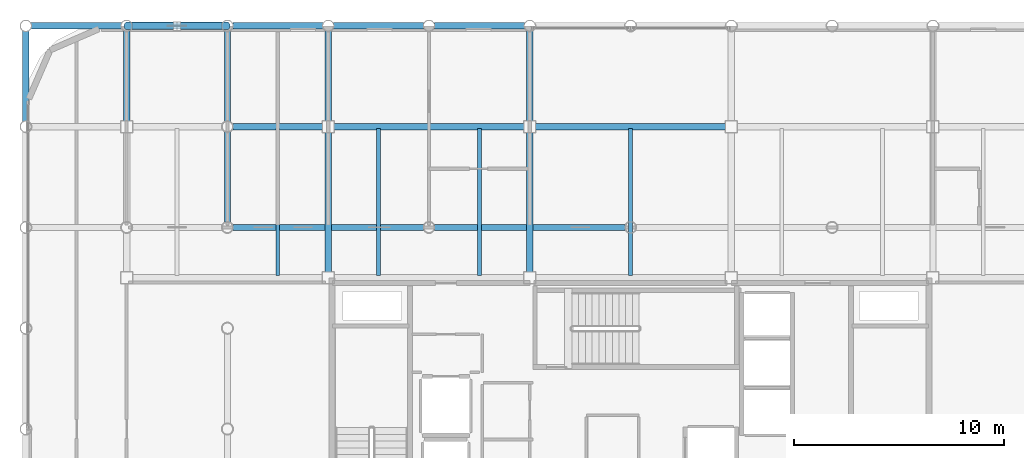
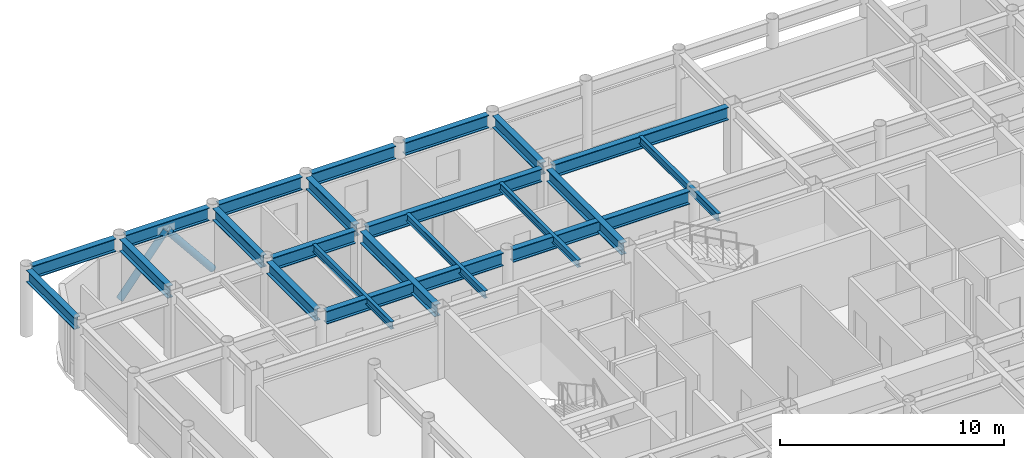
# One storey, part 12 of 21: 22 beams, 2 members.
"""IFC4 building model written with IfcOpenShell, lengths in metres."""

from ifc_helpers import new_model, si_unit, direction, frame, origin, origin_2d, place, context, subcontext, project, spatial, hollow_circle, i_section, extrude, material, material_profile, profile_set, type_object, element, save


model = new_model("IFC4")

# Units and contexts
model_context = context("Model", 3, precision=1e-05, world=origin(), true_north=direction((0.0, 1.0)))
body_context = subcontext(model_context, "Body", "Model", "MODEL_VIEW")
ifc_project = project(units=[si_unit("LENGTHUNIT", "METRE"), si_unit("AREAUNIT", "SQUARE_METRE"), si_unit("VOLUMEUNIT", "CUBIC_METRE"), si_unit("PLANEANGLEUNIT", "RADIAN"), si_unit("MASSUNIT", "GRAM", prefix="KILO")], contexts=[model_context])

# Site, building, storey
site_placement = place(None, origin())
site = spatial("IfcSite", under=ifc_project, at=site_placement, CompositionType="ELEMENT")
building_placement = place(site_placement, origin())
building = spatial("IfcBuilding", under=site, at=building_placement, Name="Kallvorn Hotel Tower", CompositionType="ELEMENT")
storey_placement = place(building_placement, frame((0.0, 0.0, 214.60009765625)))
storey = spatial("IfcBuildingStorey", under=building, at=storey_placement, Name="L53", CompositionType="ELEMENT", Elevation=214.60009765625)

# Beams
ifc_material_1 = material(Name="Structural steel S355JR", Category="steel")
ifc_material_profile_1 = material_profile(ifc_material_1, i_section(OverallWidth=0.300048828125, OverallDepth=0.64990234375, WebThickness=0.01611328125, FlangeThickness=0.031005859375, at=origin_2d()), Name="HE 650 B")
ifc_profile_set_1 = profile_set([ifc_material_profile_1], Name="Structural steel S355JR")
beam_type_1 = type_object("IfcBeamType", Name="BM_HE650B", PredefinedType="BEAM", material=ifc_profile_set_1)
beam_1_placement = place(storey_placement, frame((-28.800048828125, 14.654541015625, 3.344970703125), z_axis=(0.0, 1.0, 0.0), x_axis=(-1.0, 0.0, 0.0)))
element("IfcBeam", 1, at=beam_1_placement, inside=storey, type_object=beam_type_1, Name="L54 Primary Y-Girder 80", PredefinedType="BEAM", context=body_context, shape_type="SweptSolid", body=[
    extrude(i_section(OverallWidth=0.300048828125, OverallDepth=0.64990234375, WebThickness=0.01611328125, FlangeThickness=0.031005859375, at=origin_2d()), origin(), (0.0, 0.0, 1.0), 4.291015625),
])
beam_2_placement = place(storey_placement, frame((-24.0, 14.675048828125, 3.344970703125), z_axis=(0.0, 1.0, 0.0), x_axis=(-1.0, 0.0, 0.0)))
element("IfcBeam", 2, at=beam_2_placement, inside=storey, type_object=beam_type_1, Name="L54 Primary Y-Girder 87", PredefinedType="BEAM", context=body_context, shape_type="SweptSolid", body=[
    extrude(i_section(OverallWidth=0.300048828125, OverallDepth=0.64990234375, WebThickness=0.01611328125, FlangeThickness=0.031005859375, at=origin_2d()), origin(), (0.0, 0.0, 1.0), 4.2705078125),
])
for number, where, z_axis, x_axis, name in (
    (3, (-19.199951171875, 9.8544921875, 3.344970703125), (0.0, 1.0, 0.0), (-1.0, 0.0, 0.0), "L54 Primary Y-Girder 95"),
    (4, (-19.199951171875, 14.654541015625, 3.344970703125), (0.0, 1.0, 0.0), (-1.0, 0.0, 0.0), "L54 Primary Y-Girder 96"),
):
    element("IfcBeam", number, at=place(storey_placement, frame(where, z_axis=z_axis, x_axis=x_axis)), inside=storey, type_object=beam_type_1, Name=name, PredefinedType="BEAM", context=body_context, shape_type="SweptSolid", body=[
        extrude(i_section(OverallWidth=0.300048828125, OverallDepth=0.64990234375, WebThickness=0.01611328125, FlangeThickness=0.031005859375, at=origin_2d()), origin(), (0.0, 0.0, 1.0), 4.291015625),
    ])
beam_3_placement = place(storey_placement, frame((-14.39990234375, 7.47509765625, 3.344970703125), z_axis=(0.0, 1.0, 0.0), x_axis=(-1.0, 0.0, 0.0)))
element("IfcBeam", 5, at=beam_3_placement, inside=storey, type_object=beam_type_1, Name="L54 Primary Y-Girder 100", PredefinedType="BEAM", context=body_context, shape_type="SweptSolid", body=[
    extrude(i_section(OverallWidth=0.300048828125, OverallDepth=0.64990234375, WebThickness=0.01611328125, FlangeThickness=0.031005859375, at=origin_2d()), origin(), (0.0, 0.0, 1.0), 6.64990234375),
])
beam_4_placement = place(storey_placement, frame((-14.39990234375, 14.675048828125, 3.344970703125), z_axis=(0.0, 1.0, 0.0), x_axis=(-1.0, 0.0, 0.0)))
element("IfcBeam", 6, at=beam_4_placement, inside=storey, type_object=beam_type_1, Name="L54 Primary Y-Girder 101", PredefinedType="BEAM", context=body_context, shape_type="SweptSolid", body=[
    extrude(i_section(OverallWidth=0.300048828125, OverallDepth=0.64990234375, WebThickness=0.01611328125, FlangeThickness=0.031005859375, at=origin_2d()), origin(), (0.0, 0.0, 1.0), 4.2705078125),
])
beam_5_placement = place(storey_placement, frame((-4.800048828125, 7.47509765625, 3.344970703125), z_axis=(0.0, 1.0, 0.0), x_axis=(-1.0, 0.0, 0.0)))
element("IfcBeam", 7, at=beam_5_placement, inside=storey, type_object=beam_type_1, Name="L54 Primary Y-Girder 108", PredefinedType="BEAM", context=body_context, shape_type="SweptSolid", body=[
    extrude(i_section(OverallWidth=0.300048828125, OverallDepth=0.64990234375, WebThickness=0.01611328125, FlangeThickness=0.031005859375, at=origin_2d()), origin(), (0.0, 0.0, 1.0), 6.64990234375),
])
beam_6_placement = place(storey_placement, frame((-4.800048828125, 14.675048828125, 3.344970703125), z_axis=(0.0, 1.0, 0.0), x_axis=(-1.0, 0.0, 0.0)))
element("IfcBeam", 8, at=beam_6_placement, inside=storey, type_object=beam_type_1, Name="L54 Primary Y-Girder 109", PredefinedType="BEAM", context=body_context, shape_type="SweptSolid", body=[
    extrude(i_section(OverallWidth=0.300048828125, OverallDepth=0.64990234375, WebThickness=0.01611328125, FlangeThickness=0.031005859375, at=origin_2d()), origin(), (0.0, 0.0, 1.0), 4.2705078125),
])
ifc_material_2 = material(Name="Structural steel S355JR", Category="steel")
ifc_material_profile_2 = material_profile(ifc_material_2, i_section(OverallWidth=0.300048828125, OverallDepth=0.699951171875, WebThickness=0.01708984375, FlangeThickness=0.031982421875, at=origin_2d()), Name="HE 700 B")
ifc_profile_set_2 = profile_set([ifc_material_profile_2], Name="Structural steel S355JR")
beam_type_2 = type_object("IfcBeamType", Name="BM_HE700B", PredefinedType="BEAM", material=ifc_profile_set_2)
for number, where, z_axis, x_axis, name in (
    (9, (-18.945556640625, 9.60009765625, 3.31982421875), (1.0, 0.0, 0.0), (0.0, 1.0, 0.0), "L54 Primary X-Girder 44"),
    (10, (-9.345458984375, 9.60009765625, 3.31982421875), (1.0, 0.0, 0.0), (0.0, 1.0, 0.0), "L54 Primary X-Girder 45"),
):
    element("IfcBeam", number, at=place(storey_placement, frame(where, z_axis=z_axis, x_axis=x_axis)), inside=storey, type_object=beam_type_2, Name=name, PredefinedType="BEAM", context=body_context, shape_type="SweptSolid", body=[
        extrude(i_section(OverallWidth=0.300048828125, OverallDepth=0.699951171875, WebThickness=0.01708984375, FlangeThickness=0.031982421875, at=origin_2d()), origin(), (0.0, 0.0, 1.0), 9.091064453125),
    ])
beam_7_placement = place(storey_placement, frame((-18.945556640625, 14.39990234375, 3.31982421875), z_axis=(1.0, 0.0, 0.0), x_axis=(0.0, 1.0, 0.0)))
element("IfcBeam", 11, at=beam_7_placement, inside=storey, type_object=beam_type_2, Name="L54 Primary X-Girder 53", PredefinedType="BEAM", context=body_context, shape_type="SweptSolid", body=[
    extrude(i_section(OverallWidth=0.300048828125, OverallDepth=0.699951171875, WebThickness=0.01708984375, FlangeThickness=0.031982421875, at=origin_2d()), origin(), (0.0, 0.0, 1.0), 4.2705078125),
])
beam_8_placement = place(storey_placement, frame((-14.125, 14.39990234375, 3.31982421875), z_axis=(1.0, 0.0, 0.0), x_axis=(0.0, 1.0, 0.0)))
element("IfcBeam", 12, at=beam_8_placement, inside=storey, type_object=beam_type_2, Name="L54 Primary X-Girder 54", PredefinedType="BEAM", context=body_context, shape_type="SweptSolid", body=[
    extrude(i_section(OverallWidth=0.300048828125, OverallDepth=0.699951171875, WebThickness=0.01708984375, FlangeThickness=0.031982421875, at=origin_2d()), origin(), (0.0, 0.0, 1.0), 9.050048828125),
])
beam_9_placement = place(storey_placement, frame((-4.52490234375, 14.39990234375, 3.31982421875), z_axis=(1.0, 0.0, 0.0), x_axis=(0.0, 1.0, 0.0)))
element("IfcBeam", 13, at=beam_9_placement, inside=storey, type_object=beam_type_2, Name="L54 Primary X-Girder 55", PredefinedType="BEAM", context=body_context, shape_type="SweptSolid", body=[
    extrude(i_section(OverallWidth=0.300048828125, OverallDepth=0.699951171875, WebThickness=0.01708984375, FlangeThickness=0.031982421875, at=origin_2d()), origin(), (0.0, 0.0, 1.0), 9.0498046875),
])
for number, where, z_axis, x_axis, name in (
    (14, (-28.54541015625, 19.199951171875, 3.31982421875), (1.0, 0.0, 0.0), (0.0, 1.0, 0.0), "L54 Primary X-Girder 61"),
    (15, (-23.74560546875, 19.199951171875, 3.31982421875), (1.0, 0.0, 0.0), (0.0, 1.0, 0.0), "L54 Primary X-Girder 62"),
    (16, (-18.945556640625, 19.199951171875, 3.31982421875), (1.0, 0.0, 0.0), (0.0, 1.0, 0.0), "L54 Primary X-Girder 63"),
    (17, (-14.1455078125, 19.199951171875, 3.31982421875), (1.0, 0.0, 0.0), (0.0, 1.0, 0.0), "L54 Primary X-Girder 64"),
    (18, (-9.345458984375, 19.199951171875, 3.31982421875), (1.0, 0.0, 0.0), (0.0, 1.0, 0.0), "L54 Primary X-Girder 65"),
):
    element("IfcBeam", number, at=place(storey_placement, frame(where, z_axis=z_axis, x_axis=x_axis)), inside=storey, type_object=beam_type_2, Name=name, PredefinedType="BEAM", context=body_context, shape_type="SweptSolid", body=[
        extrude(i_section(OverallWidth=0.300048828125, OverallDepth=0.699951171875, WebThickness=0.01708984375, FlangeThickness=0.031982421875, at=origin_2d()), origin(), (0.0, 0.0, 1.0), 4.291015625),
    ])
ifc_material_3 = material(Name="Structural steel S355JR", Category="steel")
ifc_material_profile_3 = material_profile(ifc_material_3, i_section(OverallWidth=0.179931640625, OverallDepth=0.39990234375, WebThickness=0.008544921875, FlangeThickness=0.013427734375, at=origin_2d()), Name="IPE 400")
ifc_profile_set_3 = profile_set([ifc_material_profile_3], Name="Structural steel S355JR")
beam_type_3 = type_object("IfcBeamType", Name="BM_IPE400", PredefinedType="JOIST", material=ifc_profile_set_3)
for number, where, z_axis, x_axis, name in (
    (19, (-16.800048828125, 7.300048828125, 3.469970703125), (0.0, 1.0, 0.0), (-1.0, 0.0, 0.0), "L54 Secondary Composite Joist 195"),
    (20, (-12.0, 7.300048828125, 3.469970703125), (0.0, 1.0, 0.0), (-1.0, 0.0, 0.0), "L54 Secondary Composite Joist 197"),
    (21, (-7.199951171875, 7.300048828125, 3.469970703125), (0.0, 1.0, 0.0), (-1.0, 0.0, 0.0), "L54 Secondary Composite Joist 199"),
    (22, (0.0, 7.300048828125, 3.469970703125), (0.0, 1.0, 0.0), (-1.0, 0.0, 0.0), "L54 Secondary Composite Joist 201"),
):
    element("IfcBeam", number, at=place(storey_placement, frame(where, z_axis=z_axis, x_axis=x_axis)), inside=storey, type_object=beam_type_3, Name=name, PredefinedType="JOIST", context=body_context, shape_type="SweptSolid", body=[
        extrude(i_section(OverallWidth=0.179931640625, OverallDepth=0.39990234375, WebThickness=0.008544921875, FlangeThickness=0.013427734375, at=origin_2d()), origin(), (0.0, 0.0, 1.0), 7.0),
    ])

# Members
ifc_material_4 = material(Name="Structural steel S355J2H", Category="steel")
ifc_material_profile_4 = material_profile(ifc_material_4, hollow_circle(Radius=0.177734375, WallThickness=0.01416015625, at=origin_2d()), Name="CHS 355.6x14.2")
ifc_profile_set_4 = profile_set([ifc_material_profile_4], Name="Structural steel S355J2H")
member_type = type_object("IfcMemberType", Name="MBR_EXO_CHS355", PredefinedType="BRACE", material=ifc_profile_set_4)
for number, where, z_axis, x_axis, name in (
    (23, (-23.987548828125, 19.199951171875, 0.195556640625), (0.627270878626, 0.0, 0.778801158722), (0.0, 1.0, 0.0), "L53 Exoskeleton K-Brace N1A"),
    (24, (-19.21240234375, 19.199951171875, 0.195556640625), (-0.627270878626, 0.0, 0.778801158722), (0.0, -1.0, 0.0), "L53 Exoskeleton K-Brace N1B"),
):
    element("IfcMember", number, at=place(storey_placement, frame(where, z_axis=z_axis, x_axis=x_axis)), inside=storey, type_object=member_type, Name=name, PredefinedType="BRACE", context=body_context, shape_type="SweptSolid", body=[
        extrude(hollow_circle(Radius=0.177734375, WallThickness=0.01416015625, at=origin_2d()), origin(), (0.0, 0.0, 1.0), 3.7861328125),
    ])

save(model, "model.ifc")
